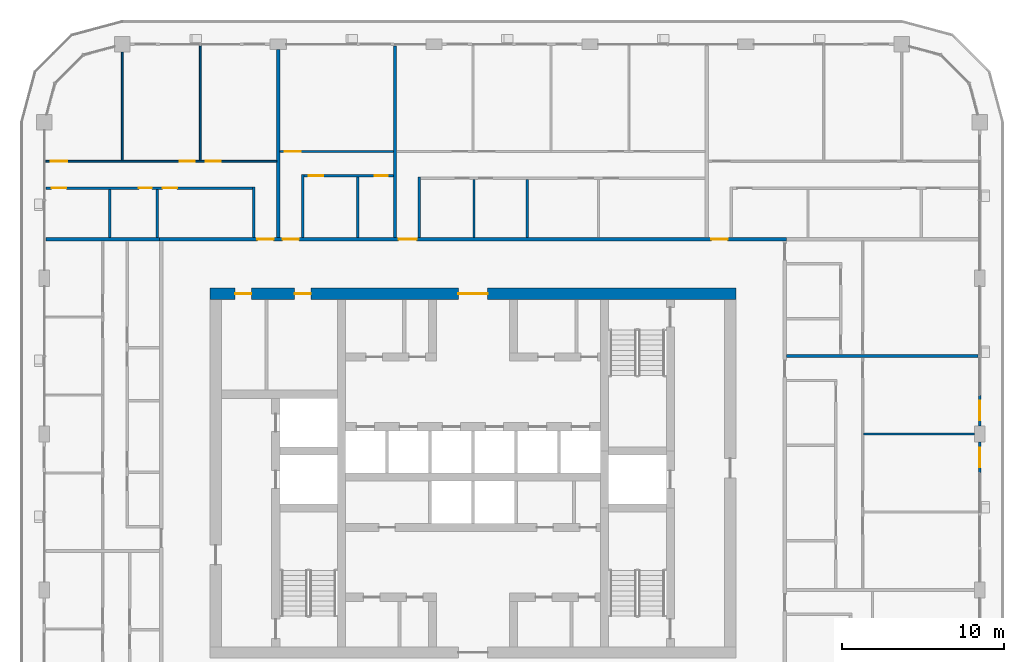
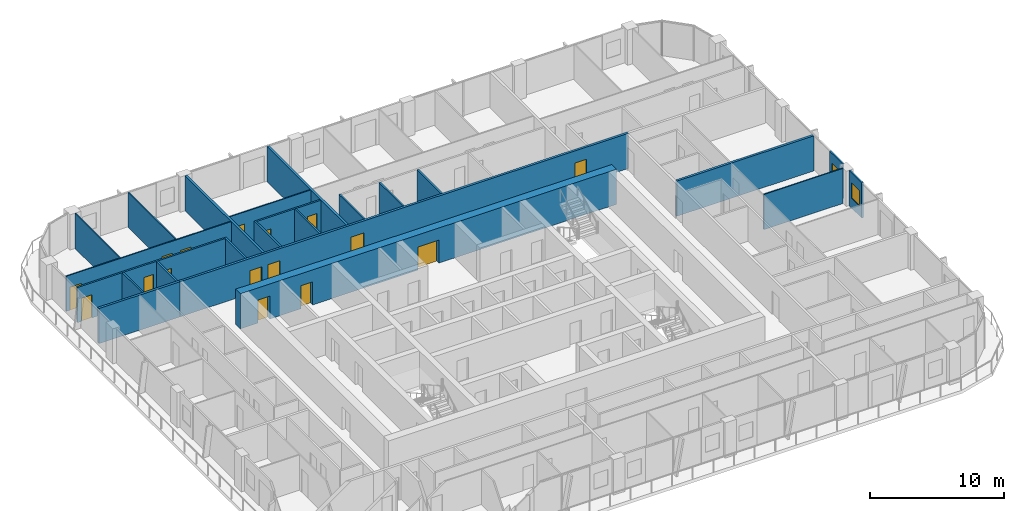
# One storey, part 14 of 23: 23 walls, 16 doors, 2 windows, 18 openings.
"""IFC4 building model written with IfcOpenShell, lengths in metres."""

from ifc_helpers import new_model, si_unit, direction, frame, frame_2d, origin, place, context, subcontext, project, spatial, rectangle, extrude, material, layer, layer_set, type_object, element, fill, save


model = new_model("IFC4")

# Units and contexts
model_context = context("Model", 3, precision=1e-05, world=origin(), true_north=direction((0.0, 1.0)))
body_context = subcontext(model_context, "Body", "Model", "MODEL_VIEW")
ifc_project = project(units=[si_unit("LENGTHUNIT", "METRE"), si_unit("AREAUNIT", "SQUARE_METRE"), si_unit("VOLUMEUNIT", "CUBIC_METRE"), si_unit("PLANEANGLEUNIT", "RADIAN"), si_unit("MASSUNIT", "GRAM", prefix="KILO")], contexts=[model_context])

# Site, building, storey
site_placement = place(None, origin())
site = spatial("IfcSite", under=ifc_project, at=site_placement, CompositionType="ELEMENT")
building_placement = place(site_placement, origin())
building = spatial("IfcBuilding", under=site, at=building_placement, Name="Madar Terraces", CompositionType="ELEMENT")
storey_placement = place(building_placement, frame((0.0, 0.0, 226.300048828125)))
storey = spatial("IfcBuildingStorey", under=building, at=storey_placement, Name="L59", CompositionType="ELEMENT", Elevation=226.300048828125)

# Wall, openings, doors
ifc_material_1 = material(Name="Concrete C60/75", Category="concrete")
ifc_layer_1 = layer(ifc_material_1, 0.699951171875)
ifc_layer_set_1 = layer_set([ifc_layer_1], Name="Concrete C60/75 (CRW4 RC wall 700)")
wall_type_1 = type_object("IfcWallType", Name="CRW4 RC wall 700", PredefinedType="SHEAR", material=ifc_layer_set_1)
wall_1_placement = place(storey_placement, frame((15.0, 37.449951171875, 0.0), z_axis=(0.0, 0.0, 1.0), x_axis=(1.0, 0.0, 0.0)))
wall_1 = element("IfcWall", 1, at=wall_1_placement, inside=storey, type_object=wall_type_1, Name="CORE OUTER WALL", PredefinedType="SHEAR", context=body_context, shape_type="SweptSolid", body=[
    extrude(rectangle(XDim=32.39990234375, YDim=0.699951171875, at=frame_2d((16.199951171875, 0.0))), origin(), (0.0, 0.0, 1.0), 3.199951171875),
])
opening_1_placement = place(wall_1_placement, frame((15.300048828125, 0.0, 0.0)))
opening_1 = element("IfcOpeningElement", 2, at=opening_1_placement, cuts=wall_1, Name="Opening KD1", PredefinedType="OPENING", context=body_context, shape_type="SweptSolid", body=[
    extrude(rectangle(XDim=1.800048828125, YDim=2.10009765625, at=frame_2d((0.89990234375, 1.050048828125))), frame((0.0, 0.35986328125, 0.0), z_axis=(0.0, -1.0, 0.0), x_axis=(1.0, 0.0, 0.0)), (0.0, 0.0, 1.0), 0.719970703125),
])
opening_2_placement = place(wall_1_placement, frame((1.544189453125, 0.0, 0.0)))
opening_2 = element("IfcOpeningElement", 3, at=opening_2_placement, cuts=wall_1, Name="Opening KD2", PredefinedType="OPENING", context=body_context, shape_type="SweptSolid", body=[
    extrude(rectangle(XDim=1.0, YDim=2.10009765625, at=frame_2d((0.5, 1.050048828125))), frame((0.0, 0.35986328125, 0.0), z_axis=(0.0, -1.0, 0.0), x_axis=(1.0, 0.0, 0.0)), (0.0, 0.0, 1.0), 0.719970703125),
])
opening_3_placement = place(wall_1_placement, frame((5.21923828125, 0.0, 0.0)))
opening_3 = element("IfcOpeningElement", 4, at=opening_3_placement, cuts=wall_1, Name="Opening KD2", PredefinedType="OPENING", context=body_context, shape_type="SweptSolid", body=[
    extrude(rectangle(XDim=1.0, YDim=2.10009765625, at=frame_2d((0.5, 1.050048828125))), frame((0.0, 0.35986328125, 0.0), z_axis=(0.0, -1.0, 0.0), x_axis=(1.0, 0.0, 0.0)), (0.0, 0.0, 1.0), 0.719970703125),
])
ifc_material_2 = material(Name="Steel door leaf", Category="steel")
door_type_1 = type_object("IfcDoorType", Name="Lobby door pair 1800 x 2100", OperationType="DOUBLE_DOOR_SINGLE_SWING", PredefinedType="DOOR", material=ifc_material_2)
door_1_placement = place(opening_1_placement, origin())
door_1 = element("IfcDoor", 5, at=door_1_placement, inside=storey, type_object=door_type_1, Name="LIFT LOBBY DOOR", OperationType="DOUBLE_DOOR_SINGLE_SWING", OverallHeight=2.10009765625, OverallWidth=1.800048828125, PredefinedType="DOOR", context=body_context, shape_type="SweptSolid", body=[
    extrude(rectangle(XDim=1.800048828125, YDim=2.10009765625, at=frame_2d((0.89990234375, 1.050048828125))), frame((0.0, 0.02490234375, 0.0), z_axis=(0.0, -1.0, 0.0), x_axis=(1.0, 0.0, 0.0)), (0.0, 0.0, 1.0), 0.050048828125),
])
fill(opening_1, door_1)
ifc_material_3 = material(Name="Steel door leaf", Category="steel")
door_type_2 = type_object("IfcDoorType", Name="Service room door 1000 x 2100", OperationType="NOTDEFINED", PredefinedType="DOOR", material=ifc_material_3)
door_2_placement = place(opening_2_placement, origin())
door_2 = element("IfcDoor", 6, at=door_2_placement, inside=storey, type_object=door_type_2, Name="SERVICE ROOM DOOR", OperationType="SINGLE_SWING_RIGHT", OverallHeight=2.10009765625, OverallWidth=1.0, PredefinedType="DOOR", context=body_context, shape_type="SweptSolid", body=[
    extrude(rectangle(XDim=1.0, YDim=2.10009765625, at=frame_2d((0.5, 1.050048828125))), frame((0.0, 0.02490234375, 0.0), z_axis=(0.0, -1.0, 0.0), x_axis=(1.0, 0.0, 0.0)), (0.0, 0.0, 1.0), 0.050048828125),
])
fill(opening_2, door_2)
door_3_placement = place(opening_3_placement, origin())
door_3 = element("IfcDoor", 7, at=door_3_placement, inside=storey, type_object=door_type_2, Name="SERVICE ROOM DOOR", OperationType="SINGLE_SWING_LEFT", OverallHeight=2.10009765625, OverallWidth=1.0, PredefinedType="DOOR", context=body_context, shape_type="SweptSolid", body=[
    extrude(rectangle(XDim=1.0, YDim=2.10009765625, at=frame_2d((0.5, 1.050048828125))), frame((0.0, 0.02490234375, 0.0), z_axis=(0.0, -1.0, 0.0), x_axis=(1.0, 0.0, 0.0)), (0.0, 0.0, 1.0), 0.050048828125),
])
fill(opening_3, door_3)

# Wall, opening, window
ifc_material_4 = material(Name="Aluminium composite panel, black, over insulated backing", Category="aluminium")
ifc_layer_2 = layer(ifc_material_4, 0.14990234375)
ifc_layer_set_2 = layer_set([ifc_layer_2], Name="Facade bay panel 150")
wall_type_2 = type_object("IfcWallType", Name="Facade bay panel 150", PredefinedType="SOLIDWALL", material=ifc_layer_set_2)
wall_2_placement = place(storey_placement, frame((62.39990234375, 26.39990234375, 0.0), z_axis=(0.0, 0.0, 1.0), x_axis=(0.0, 1.0, 0.0)))
wall_2 = element("IfcWall", 8, at=wall_2_placement, inside=storey, type_object=wall_type_2, Name="Facade bay panel", PredefinedType="SOLIDWALL", context=body_context, shape_type="SweptSolid", body=[
    extrude(rectangle(XDim=1.900146484375, YDim=0.14990234375, at=frame_2d((0.9501953125, 0.0))), origin(), (0.0, 0.0, 1.0), 3.199951171875),
])
opening_4_placement = place(wall_2_placement, frame((0.35009765625, 0.0, 0.89990234375)))
opening_4 = element("IfcOpeningElement", 9, at=opening_4_placement, cuts=wall_2, Name="Opening W1", PredefinedType="OPENING", context=body_context, shape_type="SweptSolid", body=[
    extrude(rectangle(XDim=1.199951171875, YDim=1.39990234375, at=frame_2d((0.60009765625, 0.699951171875))), frame((0.0, 0.0849609375, 0.0), z_axis=(0.0, -1.0, 0.0), x_axis=(1.0, 0.0, 0.0)), (0.0, 0.0, 1.0), 0.169921875),
])
ifc_material_5 = material(Name="Glass, clear, with black aluminium frame", Category="aluminium")
window_type = type_object("IfcWindowType", Name="Vent window 1200 x 1400", PartitioningType="SINGLE_PANEL", PredefinedType="WINDOW", material=ifc_material_5)
window_1_placement = place(opening_4_placement, origin())
window_1 = element("IfcWindow", 10, at=window_1_placement, inside=storey, type_object=window_type, Name="Operable vent window", OverallHeight=1.39990234375, OverallWidth=1.199951171875, PartitioningType="SINGLE_PANEL", PredefinedType="WINDOW", context=body_context, shape_type="SweptSolid", body=[
    extrude(rectangle(XDim=1.199951171875, YDim=1.39990234375, at=frame_2d((0.60009765625, 0.699951171875))), frame((0.0, 0.030029296875, 0.0), z_axis=(0.0, -1.0, 0.0), x_axis=(1.0, 0.0, 0.0)), (0.0, 0.0, 1.0), 0.06005859375),
])
fill(opening_4, window_1)

wall_3_placement = place(storey_placement, frame((62.39990234375, 29.300048828125, 0.0), z_axis=(0.0, 0.0, 1.0), x_axis=(0.0, 1.0, 0.0)))
wall_3 = element("IfcWall", 11, at=wall_3_placement, inside=storey, type_object=wall_type_2, Name="Facade bay panel", PredefinedType="SOLIDWALL", context=body_context, shape_type="SweptSolid", body=[
    extrude(rectangle(XDim=1.89990234375, YDim=0.14990234375, at=frame_2d((0.949951171875, 0.0))), origin(), (0.0, 0.0, 1.0), 3.199951171875),
])
opening_5_placement = place(wall_3_placement, frame((0.35009765625, 0.0, 0.89990234375)))
opening_5 = element("IfcOpeningElement", 12, at=opening_5_placement, cuts=wall_3, Name="Opening W1", PredefinedType="OPENING", context=body_context, shape_type="SweptSolid", body=[
    extrude(rectangle(XDim=1.199951171875, YDim=1.39990234375, at=frame_2d((0.60009765625, 0.699951171875))), frame((0.0, 0.0849609375, 0.0), z_axis=(0.0, -1.0, 0.0), x_axis=(1.0, 0.0, 0.0)), (0.0, 0.0, 1.0), 0.169921875),
])
window_2_placement = place(opening_5_placement, origin())
window_2 = element("IfcWindow", 13, at=window_2_placement, inside=storey, type_object=window_type, Name="Operable vent window", OverallHeight=1.39990234375, OverallWidth=1.199951171875, PartitioningType="SINGLE_PANEL", PredefinedType="WINDOW", context=body_context, shape_type="SweptSolid", body=[
    extrude(rectangle(XDim=1.199951171875, YDim=1.39990234375, at=frame_2d((0.60009765625, 0.699951171875))), frame((0.0, 0.030029296875, 0.0), z_axis=(0.0, -1.0, 0.0), x_axis=(1.0, 0.0, 0.0)), (0.0, 0.0, 1.0), 0.06005859375),
])
fill(opening_5, window_2)

# Wall
ifc_material_6 = material(Name="Gypsum board on steel studs", Category="steel")
ifc_layer_3 = layer(ifc_material_6, 0.10009765625)
ifc_layer_set_3 = layer_set([ifc_layer_3], Name="Flat partition 100")
wall_type_3 = type_object("IfcWallType", Name="Flat partition 100", PredefinedType="PARTITIONING", material=ifc_layer_set_3)
wall_4_placement = place(storey_placement, frame((55.25, 28.800048828125, 0.0), z_axis=(0.0, 0.0, 1.0), x_axis=(1.0, 0.0, 0.0)))
element("IfcWall", 14, at=wall_4_placement, inside=storey, type_object=wall_type_3, Name="Flat partition 100", PredefinedType="PARTITIONING", context=body_context, shape_type="SweptSolid", body=[
    extrude(rectangle(XDim=6.824951171875, YDim=0.10009765625, at=frame_2d((3.41259765625, 0.0))), origin(), (0.0, 0.0, 1.0), 3.199951171875),
])

# Wall, opening, door
wall_5_placement = place(storey_placement, frame((19.300048828125, 46.199951171875, 0.0), z_axis=(0.0, 0.0, 1.0), x_axis=(1.0, 0.0, 0.0)))
wall_5 = element("IfcWall", 15, at=wall_5_placement, inside=storey, type_object=wall_type_3, Name="Flat partition 100", PredefinedType="PARTITIONING", context=body_context, shape_type="SweptSolid", body=[
    extrude(rectangle(XDim=7.0, YDim=0.10009765625, at=frame_2d((3.5, 0.0))), origin(), (0.0, 0.0, 1.0), 3.199951171875),
])
opening_6_placement = place(wall_5_placement, frame((0.300048828125, 0.0, 0.0)))
opening_6 = element("IfcOpeningElement", 16, at=opening_6_placement, cuts=wall_5, Name="Opening D3", PredefinedType="OPENING", context=body_context, shape_type="SweptSolid", body=[
    extrude(rectangle(XDim=1.0, YDim=2.10009765625, at=frame_2d((0.5, 1.050048828125))), frame((0.0, 0.06005859375, 0.0), z_axis=(0.0, -1.0, 0.0), x_axis=(1.0, 0.0, 0.0)), (0.0, 0.0, 1.0), 0.1201171875),
])
ifc_material_7 = material(Name="Timber door leaf", Category="wood")
door_type_3 = type_object("IfcDoorType", Name="Flat living room door 1000", OperationType="NOTDEFINED", PredefinedType="DOOR", material=ifc_material_7)
door_4_placement = place(opening_6_placement, origin())
door_4 = element("IfcDoor", 17, at=door_4_placement, inside=storey, type_object=door_type_3, Name="Flat living room door 1000", OperationType="SINGLE_SWING_LEFT", OverallHeight=2.10009765625, OverallWidth=1.0, PredefinedType="DOOR", context=body_context, shape_type="SweptSolid", body=[
    extrude(rectangle(XDim=1.0, YDim=2.10009765625, at=frame_2d((0.5, 1.050048828125))), frame((0.0, 0.02490234375, 0.0), z_axis=(0.0, -1.0, 0.0), x_axis=(1.0, 0.0, 0.0)), (0.0, 0.0, 1.0), 0.050048828125),
])
fill(opening_6, door_4)

# Walls
wall_6_placement = place(storey_placement, frame((14.39990234375, 45.64990234375, 0.0), z_axis=(0.0, 0.0, 1.0), x_axis=(0.0, 1.0, 0.0)))
element("IfcWall", 18, at=wall_6_placement, inside=storey, type_object=wall_type_3, Name="Flat partition 100", PredefinedType="PARTITIONING", context=body_context, shape_type="SweptSolid", body=[
    extrude(rectangle(XDim=7.050048828125, YDim=0.10009765625, at=frame_2d((3.52490234375, 0.0))), origin(), (0.0, 0.0, 1.0), 3.199951171875),
])
wall_7_placement = place(storey_placement, frame((9.60009765625, 45.64990234375, 0.0), z_axis=(0.0, 0.0, 1.0), x_axis=(0.0, 1.0, 0.0)))
element("IfcWall", 19, at=wall_7_placement, inside=storey, type_object=wall_type_3, Name="Flat partition 100", PredefinedType="PARTITIONING", context=body_context, shape_type="SweptSolid", body=[
    extrude(rectangle(XDim=6.675048828125, YDim=0.10009765625, at=frame_2d((3.33740234375, 0.0))), origin(), (0.0, 0.0, 1.0), 3.199951171875),
])

# Wall, openings, doors
wall_8_placement = place(storey_placement, frame((4.89990234375, 45.60009765625, 0.0), z_axis=(0.0, 0.0, 1.0), x_axis=(1.0, 0.0, 0.0)))
wall_8 = element("IfcWall", 20, at=wall_8_placement, inside=storey, type_object=wall_type_3, Name="Flat partition 100", PredefinedType="PARTITIONING", context=body_context, shape_type="SweptSolid", body=[
    extrude(rectangle(XDim=14.2001953125, YDim=0.10009765625, at=frame_2d((7.10009765625, 0.0))), origin(), (0.0, 0.0, 1.0), 3.199951171875),
])
opening_7_placement = place(wall_8_placement, frame((9.85009765625, 0.0, 0.0)))
opening_7 = element("IfcOpeningElement", 21, at=opening_7_placement, cuts=wall_8, Name="Opening D2", PredefinedType="OPENING", context=body_context, shape_type="SweptSolid", body=[
    extrude(rectangle(XDim=0.89990234375, YDim=2.10009765625, at=frame_2d((0.449951171875, 1.050048828125))), frame((0.0, 0.06005859375, 0.0), z_axis=(0.0, -1.0, 0.0), x_axis=(1.0, 0.0, 0.0)), (0.0, 0.0, 1.0), 0.1201171875),
])
opening_8_placement = place(wall_8_placement, frame((8.25, 0.0, 0.0)))
opening_8 = element("IfcOpeningElement", 22, at=opening_8_placement, cuts=wall_8, Name="Opening D2", PredefinedType="OPENING", context=body_context, shape_type="SweptSolid", body=[
    extrude(rectangle(XDim=0.89990234375, YDim=2.10009765625, at=frame_2d((0.449951171875, 1.050048828125))), frame((0.0, 0.06005859375, 0.0), z_axis=(0.0, -1.0, 0.0), x_axis=(1.0, 0.0, 0.0)), (0.0, 0.0, 1.0), 0.1201171875),
])
opening_9_placement = place(wall_8_placement, frame((0.300048828125, 0.0, 0.0)))
opening_9 = element("IfcOpeningElement", 23, at=opening_9_placement, cuts=wall_8, Name="Opening D3", PredefinedType="OPENING", context=body_context, shape_type="SweptSolid", body=[
    extrude(rectangle(XDim=1.0, YDim=2.10009765625, at=frame_2d((0.5, 1.050048828125))), frame((0.0, 0.06005859375, 0.0), z_axis=(0.0, -1.0, 0.0), x_axis=(1.0, 0.0, 0.0)), (0.0, 0.0, 1.0), 0.1201171875),
])
door_5_placement = place(opening_9_placement, origin())
door_5 = element("IfcDoor", 24, at=door_5_placement, inside=storey, type_object=door_type_3, Name="Flat living room door 1000", OperationType="SINGLE_SWING_LEFT", OverallHeight=2.10009765625, OverallWidth=1.0, PredefinedType="DOOR", context=body_context, shape_type="SweptSolid", body=[
    extrude(rectangle(XDim=1.0, YDim=2.10009765625, at=frame_2d((0.5, 1.050048828125))), frame((0.0, 0.02490234375, 0.0), z_axis=(0.0, -1.0, 0.0), x_axis=(1.0, 0.0, 0.0)), (0.0, 0.0, 1.0), 0.050048828125),
])
fill(opening_9, door_5)
ifc_material_8 = material(Name="Timber door leaf", Category="wood")
door_type_4 = type_object("IfcDoorType", Name="Flat room door 900", OperationType="NOTDEFINED", PredefinedType="DOOR", material=ifc_material_8)
door_6_placement = place(opening_7_placement, origin())
door_6 = element("IfcDoor", 25, at=door_6_placement, inside=storey, type_object=door_type_4, Name="Flat room door 900", OperationType="SINGLE_SWING_LEFT", OverallHeight=2.10009765625, OverallWidth=0.89990234375, PredefinedType="DOOR", context=body_context, shape_type="SweptSolid", body=[
    extrude(rectangle(XDim=0.89990234375, YDim=2.10009765625, at=frame_2d((0.449951171875, 1.050048828125))), frame((0.0, 0.02490234375, 0.0), z_axis=(0.0, -1.0, 0.0), x_axis=(1.0, 0.0, 0.0)), (0.0, 0.0, 1.0), 0.050048828125),
])
fill(opening_7, door_6)
door_7_placement = place(opening_8_placement, origin())
door_7 = element("IfcDoor", 26, at=door_7_placement, inside=storey, type_object=door_type_4, Name="Flat room door 900", OperationType="SINGLE_SWING_RIGHT", OverallHeight=2.10009765625, OverallWidth=0.89990234375, PredefinedType="DOOR", context=body_context, shape_type="SweptSolid", body=[
    extrude(rectangle(XDim=0.89990234375, YDim=2.10009765625, at=frame_2d((0.449951171875, 1.050048828125))), frame((0.0, 0.02490234375, 0.0), z_axis=(0.0, -1.0, 0.0), x_axis=(1.0, 0.0, 0.0)), (0.0, 0.0, 1.0), 0.050048828125),
])
fill(opening_8, door_7)

ifc_material_9 = material(Name="Lightweight blockwork", Category="masonry")
ifc_layer_4 = layer(ifc_material_9, 0.199951171875)
ifc_layer_set_4 = layer_set([ifc_layer_4], Name="Flat party and entrance wall 200")
wall_type_4 = type_object("IfcWallType", Name="Flat party and entrance wall 200", PredefinedType="PARTITIONING", material=ifc_layer_set_4)
wall_9_placement = place(storey_placement, frame((11.89990234375, 40.800048828125, 0.0), z_axis=(0.0, 0.0, 1.0), x_axis=(1.0, 0.0, 0.0)))
wall_9 = element("IfcWall", 27, at=wall_9_placement, inside=storey, type_object=wall_type_4, Name="Flat party and entrance wall 200", PredefinedType="PARTITIONING", context=body_context, shape_type="SweptSolid", body=[
    extrude(rectangle(XDim=38.60009765625, YDim=0.199951171875, at=frame_2d((19.300048828125, 0.0))), origin(), (0.0, 0.0, 1.0), 3.199951171875),
])
opening_10_placement = place(wall_9_placement, frame((33.97509765625, 0.0, 0.0)))
opening_10 = element("IfcOpeningElement", 28, at=opening_10_placement, cuts=wall_9, Name="Opening D1", PredefinedType="OPENING", context=body_context, shape_type="SweptSolid", body=[
    extrude(rectangle(XDim=1.0, YDim=2.10009765625, at=frame_2d((0.5, 1.050048828125))), frame((0.0, 0.10986328125, 0.0), z_axis=(0.0, -1.0, 0.0), x_axis=(1.0, 0.0, 0.0)), (0.0, 0.0, 1.0), 0.219970703125),
])
opening_11_placement = place(wall_9_placement, frame((14.72509765625, 0.0, 0.0)))
opening_11 = element("IfcOpeningElement", 29, at=opening_11_placement, cuts=wall_9, Name="Opening D6", PredefinedType="OPENING", context=body_context, shape_type="SweptSolid", body=[
    extrude(rectangle(XDim=1.10009765625, YDim=2.10009765625, at=frame_2d((0.550048828125, 1.050048828125))), frame((0.0, 0.10986328125, 0.0), z_axis=(0.0, -1.0, 0.0), x_axis=(1.0, 0.0, 0.0)), (0.0, 0.0, 1.0), 0.219970703125),
])
opening_12_placement = place(wall_9_placement, frame((7.574951171875, 0.0, 0.0)))
opening_12 = element("IfcOpeningElement", 30, at=opening_12_placement, cuts=wall_9, Name="Opening D1", PredefinedType="OPENING", context=body_context, shape_type="SweptSolid", body=[
    extrude(rectangle(XDim=1.0, YDim=2.10009765625, at=frame_2d((0.5, 1.050048828125))), frame((0.0, 0.10986328125, 0.0), z_axis=(0.0, -1.0, 0.0), x_axis=(1.0, 0.0, 0.0)), (0.0, 0.0, 1.0), 0.219970703125),
])
opening_13_placement = place(wall_9_placement, frame((6.02490234375, 0.0, 0.0)))
opening_13 = element("IfcOpeningElement", 31, at=opening_13_placement, cuts=wall_9, Name="Opening D1", PredefinedType="OPENING", context=body_context, shape_type="SweptSolid", body=[
    extrude(rectangle(XDim=1.0, YDim=2.10009765625, at=frame_2d((0.5, 1.050048828125))), frame((0.0, 0.10986328125, 0.0), z_axis=(0.0, -1.0, 0.0), x_axis=(1.0, 0.0, 0.0)), (0.0, 0.0, 1.0), 0.219970703125),
])
ifc_material_10 = material(Name="Timber fire door leaf", Category="wood")
door_type_5 = type_object("IfcDoorType", Name="Flat entrance door 1000 FD30S", OperationType="NOTDEFINED", PredefinedType="DOOR", material=ifc_material_10)
door_8_placement = place(opening_10_placement, origin())
door_8 = element("IfcDoor", 32, at=door_8_placement, inside=storey, type_object=door_type_5, Name="Flat entrance door 1000 FD30S", OperationType="SINGLE_SWING_LEFT", OverallHeight=2.10009765625, OverallWidth=1.0, PredefinedType="DOOR", context=body_context, shape_type="SweptSolid", body=[
    extrude(rectangle(XDim=1.0, YDim=2.10009765625, at=frame_2d((0.5, 1.050048828125))), frame((0.0, 0.02490234375, 0.0), z_axis=(0.0, -1.0, 0.0), x_axis=(1.0, 0.0, 0.0)), (0.0, 0.0, 1.0), 0.050048828125),
])
fill(opening_10, door_8)
door_9_placement = place(opening_12_placement, origin())
door_9 = element("IfcDoor", 33, at=door_9_placement, inside=storey, type_object=door_type_5, Name="Flat entrance door 1000 FD30S", OperationType="SINGLE_SWING_LEFT", OverallHeight=2.10009765625, OverallWidth=1.0, PredefinedType="DOOR", context=body_context, shape_type="SweptSolid", body=[
    extrude(rectangle(XDim=1.0, YDim=2.10009765625, at=frame_2d((0.5, 1.050048828125))), frame((0.0, 0.02490234375, 0.0), z_axis=(0.0, -1.0, 0.0), x_axis=(1.0, 0.0, 0.0)), (0.0, 0.0, 1.0), 0.050048828125),
])
fill(opening_12, door_9)
door_10_placement = place(opening_13_placement, origin())
door_10 = element("IfcDoor", 34, at=door_10_placement, inside=storey, type_object=door_type_5, Name="Flat entrance door 1000 FD30S", OperationType="SINGLE_SWING_RIGHT", OverallHeight=2.10009765625, OverallWidth=1.0, PredefinedType="DOOR", context=body_context, shape_type="SweptSolid", body=[
    extrude(rectangle(XDim=1.0, YDim=2.10009765625, at=frame_2d((0.5, 1.050048828125))), frame((0.0, 0.02490234375, 0.0), z_axis=(0.0, -1.0, 0.0), x_axis=(1.0, 0.0, 0.0)), (0.0, 0.0, 1.0), 0.050048828125),
])
fill(opening_13, door_10)
ifc_material_11 = material(Name="Timber fire door leaf", Category="wood")
door_type_6 = type_object("IfcDoorType", Name="Flat entrance door 1100 FD30S", OperationType="NOTDEFINED", PredefinedType="DOOR", material=ifc_material_11)
door_11_placement = place(opening_11_placement, origin())
door_11 = element("IfcDoor", 35, at=door_11_placement, inside=storey, type_object=door_type_6, Name="Flat entrance door 1100 FD30S", OperationType="SINGLE_SWING_LEFT", OverallHeight=2.10009765625, OverallWidth=1.10009765625, PredefinedType="DOOR", context=body_context, shape_type="SweptSolid", body=[
    extrude(rectangle(XDim=1.10009765625, YDim=2.10009765625, at=frame_2d((0.550048828125, 1.050048828125))), frame((0.0, 0.02490234375, 0.0), z_axis=(0.0, -1.0, 0.0), x_axis=(1.0, 0.0, 0.0)), (0.0, 0.0, 1.0), 0.050048828125),
])
fill(opening_11, door_11)

# Walls
for number, where, z_axis, x_axis, name in (
    (36, (50.5, 33.60009765625, 0.0), (0.0, 0.0, 1.0), (1.0, 0.0, 0.0), "Flat party and entrance wall 200"),
    (37, (26.39990234375, 52.699951171875, 0.0), (0.0, 0.0, 1.0), (0.0, -1.0, 0.0), "Flat party and entrance wall 200"),
):
    element("IfcWall", number, at=place(storey_placement, frame(where, z_axis=z_axis, x_axis=x_axis)), inside=storey, type_object=wall_type_4, Name=name, PredefinedType="PARTITIONING", context=body_context, shape_type="SweptSolid", body=[
        extrude(rectangle(XDim=11.800048828125, YDim=0.199951171875, at=frame_2d((5.89990234375, 0.0))), origin(), (0.0, 0.0, 1.0), 3.199951171875),
    ])
wall_10_placement = place(storey_placement, frame((19.199951171875, 52.47509765625, 0.0), z_axis=(0.0, 0.0, 1.0), x_axis=(0.0, -1.0, 0.0)))
element("IfcWall", 38, at=wall_10_placement, inside=storey, type_object=wall_type_4, Name="Flat party and entrance wall 200", PredefinedType="PARTITIONING", context=body_context, shape_type="SweptSolid", body=[
    extrude(rectangle(XDim=11.5751953125, YDim=0.199951171875, at=frame_2d((5.78759765625, 0.0))), origin(), (0.0, 0.0, 1.0), 3.199951171875),
])
wall_11_placement = place(storey_placement, frame((4.89990234375, 40.800048828125, 0.0), z_axis=(0.0, 0.0, 1.0), x_axis=(1.0, 0.0, 0.0)))
element("IfcWall", 39, at=wall_11_placement, inside=storey, type_object=wall_type_4, Name="Flat party and entrance wall 200", PredefinedType="PARTITIONING", context=body_context, shape_type="SweptSolid", body=[
    extrude(rectangle(XDim=7.0, YDim=0.199951171875, at=frame_2d((3.5, 0.0))), origin(), (0.0, 0.0, 1.0), 3.199951171875),
])
ifc_material_12 = material(Name="Lightweight blockwork", Category="masonry")
ifc_layer_5 = layer(ifc_material_12, 0.14990234375)
ifc_layer_set_5 = layer_set([ifc_layer_5], Name="Flat wet-room partition 150")
wall_type_5 = type_object("IfcWallType", Name="Flat wet-room partition 150", PredefinedType="PARTITIONING", material=ifc_layer_set_5)
for number, where, z_axis, x_axis, name in (
    (40, (31.260986328125, 40.89990234375, 0.0), (0.0, 0.0, 1.0), (0.0, 1.0, 0.0), "Flat wet-room partition 150"),
    (41, (34.546875, 40.89990234375, 0.0), (0.0, 0.0, 1.0), (0.0, 1.0, 0.0), "Flat wet-room partition 150"),
):
    element("IfcWall", number, at=place(storey_placement, frame(where, z_axis=z_axis, x_axis=x_axis)), inside=storey, type_object=wall_type_5, Name=name, PredefinedType="PARTITIONING", context=body_context, shape_type="SweptSolid", body=[
        extrude(rectangle(XDim=3.5751953125, YDim=0.14990234375, at=frame_2d((1.78759765625, 0.0))), origin(), (0.0, 0.0, 1.0), 3.199951171875),
    ])
for number, where, z_axis, x_axis, name in (
    (42, (27.89990234375, 40.89990234375, 0.0), (0.0, 0.0, 1.0), (0.0, 1.0, 0.0), "Flat wet-room partition 150"),
    (43, (24.090087890625, 40.89990234375, 0.0), (0.0, 0.0, 1.0), (0.0, 1.0, 0.0), "Flat wet-room partition 150"),
):
    element("IfcWall", number, at=place(storey_placement, frame(where, z_axis=z_axis, x_axis=x_axis)), inside=storey, type_object=wall_type_5, Name=name, PredefinedType="PARTITIONING", context=body_context, shape_type="SweptSolid", body=[
        extrude(rectangle(XDim=3.72509765625, YDim=0.14990234375, at=frame_2d((1.862548828125, 0.0))), origin(), (0.0, 0.0, 1.0), 3.199951171875),
    ])
wall_12_placement = place(storey_placement, frame((20.699951171875, 40.89990234375, 0.0), z_axis=(0.0, 0.0, 1.0), x_axis=(0.0, 1.0, 0.0)))
element("IfcWall", 44, at=wall_12_placement, inside=storey, type_object=wall_type_5, Name="Flat wet-room partition 150", PredefinedType="PARTITIONING", context=body_context, shape_type="SweptSolid", body=[
    extrude(rectangle(XDim=3.875, YDim=0.14990234375, at=frame_2d((1.9375, 0.0))), origin(), (0.0, 0.0, 1.0), 3.199951171875),
])

# Wall, openings, doors
wall_13_placement = place(storey_placement, frame((26.300048828125, 44.699951171875, 0.0), z_axis=(0.0, 0.0, 1.0), x_axis=(-1.0, 0.0, 0.0)))
wall_13 = element("IfcWall", 45, at=wall_13_placement, inside=storey, type_object=wall_type_5, Name="Flat wet-room partition 150", PredefinedType="PARTITIONING", context=body_context, shape_type="SweptSolid", body=[
    extrude(rectangle(XDim=5.525146484375, YDim=0.14990234375, at=frame_2d((2.7626953125, 0.0))), origin(), (0.0, 0.0, 1.0), 3.199951171875),
])
opening_14_placement = place(wall_13_placement, frame((4.324951171875, 0.0, 0.0)))
opening_14 = element("IfcOpeningElement", 46, at=opening_14_placement, cuts=wall_13, Name="Opening D2", PredefinedType="OPENING", context=body_context, shape_type="SweptSolid", body=[
    extrude(rectangle(XDim=0.89990234375, YDim=2.10009765625, at=frame_2d((0.449951171875, 1.050048828125))), frame((0.0, 0.0849609375, 0.0), z_axis=(0.0, -1.0, 0.0), x_axis=(1.0, 0.0, 0.0)), (0.0, 0.0, 1.0), 0.169921875),
])
opening_15_placement = place(wall_13_placement, frame((0.35009765625, 0.0, 0.0)))
opening_15 = element("IfcOpeningElement", 47, at=opening_15_placement, cuts=wall_13, Name="Opening D4", PredefinedType="OPENING", context=body_context, shape_type="SweptSolid", body=[
    extrude(rectangle(XDim=0.800048828125, YDim=2.10009765625, at=frame_2d((0.39990234375, 1.050048828125))), frame((0.0, 0.0849609375, 0.0), z_axis=(0.0, -1.0, 0.0), x_axis=(1.0, 0.0, 0.0)), (0.0, 0.0, 1.0), 0.169921875),
])
ifc_material_13 = material(Name="Timber door leaf", Category="wood")
door_type_7 = type_object("IfcDoorType", Name="Flat bathroom door 800", OperationType="NOTDEFINED", PredefinedType="DOOR", material=ifc_material_13)
door_12_placement = place(opening_15_placement, origin())
door_12 = element("IfcDoor", 48, at=door_12_placement, inside=storey, type_object=door_type_7, Name="Flat bathroom door 800", OperationType="SINGLE_SWING_LEFT", OverallHeight=2.10009765625, OverallWidth=0.800048828125, PredefinedType="DOOR", context=body_context, shape_type="SweptSolid", body=[
    extrude(rectangle(XDim=0.800048828125, YDim=2.10009765625, at=frame_2d((0.39990234375, 1.050048828125))), frame((0.0, 0.02490234375, 0.0), z_axis=(0.0, -1.0, 0.0), x_axis=(1.0, 0.0, 0.0)), (0.0, 0.0, 1.0), 0.050048828125),
])
fill(opening_15, door_12)
door_13_placement = place(opening_14_placement, origin())
door_13 = element("IfcDoor", 49, at=door_13_placement, inside=storey, type_object=door_type_4, Name="Flat room door 900", OperationType="SINGLE_SWING_RIGHT", OverallHeight=2.10009765625, OverallWidth=0.89990234375, PredefinedType="DOOR", context=body_context, shape_type="SweptSolid", body=[
    extrude(rectangle(XDim=0.89990234375, YDim=2.10009765625, at=frame_2d((0.449951171875, 1.050048828125))), frame((0.0, 0.02490234375, 0.0), z_axis=(0.0, -1.0, 0.0), x_axis=(1.0, 0.0, 0.0)), (0.0, 0.0, 1.0), 0.050048828125),
])
fill(opening_14, door_13)

# Walls
for number, where, z_axis, x_axis, name in (
    (50, (11.751953125, 40.89990234375, 0.0), (0.0, 0.0, 1.0), (0.0, 1.0, 0.0), "Flat wet-room partition 150"),
    (51, (8.8154296875, 40.89990234375, 0.0), (0.0, 0.0, 1.0), (0.0, 1.0, 0.0), "Flat wet-room partition 150"),
):
    element("IfcWall", number, at=place(storey_placement, frame(where, z_axis=z_axis, x_axis=x_axis)), inside=storey, type_object=wall_type_5, Name=name, PredefinedType="PARTITIONING", context=body_context, shape_type="SweptSolid", body=[
        extrude(rectangle(XDim=2.97509765625, YDim=0.14990234375, at=frame_2d((1.487548828125, 0.0))), origin(), (0.0, 0.0, 1.0), 3.199951171875),
    ])
wall_14_placement = place(storey_placement, frame((17.699951171875, 40.89990234375, 0.0), z_axis=(0.0, 0.0, 1.0), x_axis=(0.0, 1.0, 0.0)))
element("IfcWall", 52, at=wall_14_placement, inside=storey, type_object=wall_type_5, Name="Flat wet-room partition 150", PredefinedType="PARTITIONING", context=body_context, shape_type="SweptSolid", body=[
    extrude(rectangle(XDim=3.125, YDim=0.14990234375, at=frame_2d((1.5625, 0.0))), origin(), (0.0, 0.0, 1.0), 3.199951171875),
])

# Wall, openings, doors
wall_15_placement = place(storey_placement, frame((17.625, 43.949951171875, 0.0), z_axis=(0.0, 0.0, 1.0), x_axis=(-1.0, 0.0, 0.0)))
wall_15 = element("IfcWall", 53, at=wall_15_placement, inside=storey, type_object=wall_type_5, Name="Flat wet-room partition 150", PredefinedType="PARTITIONING", context=body_context, shape_type="SweptSolid", body=[
    extrude(rectangle(XDim=12.72509765625, YDim=0.14990234375, at=frame_2d((6.362548828125, 0.0))), origin(), (0.0, 0.0, 1.0), 3.199951171875),
])
opening_16_placement = place(wall_15_placement, frame((4.648193359375, 0.0, 0.0)))
opening_16 = element("IfcOpeningElement", 54, at=opening_16_placement, cuts=wall_15, Name="Opening D2", PredefinedType="OPENING", context=body_context, shape_type="SweptSolid", body=[
    extrude(rectangle(XDim=0.89990234375, YDim=2.10009765625, at=frame_2d((0.449951171875, 1.050048828125))), frame((0.0, 0.0849609375, 0.0), z_axis=(0.0, -1.0, 0.0), x_axis=(1.0, 0.0, 0.0)), (0.0, 0.0, 1.0), 0.169921875),
])
opening_17_placement = place(wall_15_placement, frame((6.197998046875, 0.0, 0.0)))
opening_17 = element("IfcOpeningElement", 55, at=opening_17_placement, cuts=wall_15, Name="Opening D4", PredefinedType="OPENING", context=body_context, shape_type="SweptSolid", body=[
    extrude(rectangle(XDim=0.800048828125, YDim=2.10009765625, at=frame_2d((0.39990234375, 1.050048828125))), frame((0.0, 0.0849609375, 0.0), z_axis=(0.0, -1.0, 0.0), x_axis=(1.0, 0.0, 0.0)), (0.0, 0.0, 1.0), 0.169921875),
])
opening_18_placement = place(wall_15_placement, frame((11.47509765625, 0.0, 0.0)))
opening_18 = element("IfcOpeningElement", 56, at=opening_18_placement, cuts=wall_15, Name="Opening D5", PredefinedType="OPENING", context=body_context, shape_type="SweptSolid", body=[
    extrude(rectangle(XDim=0.89990234375, YDim=2.10009765625, at=frame_2d((0.449951171875, 1.050048828125))), frame((0.0, 0.0849609375, 0.0), z_axis=(0.0, -1.0, 0.0), x_axis=(1.0, 0.0, 0.0)), (0.0, 0.0, 1.0), 0.169921875),
])
ifc_material_14 = material(Name="Timber door leaf", Category="wood")
door_type_8 = type_object("IfcDoorType", Name="Flat accessible bathroom door 900", OperationType="NOTDEFINED", PredefinedType="DOOR", material=ifc_material_14)
door_14_placement = place(opening_18_placement, origin())
door_14 = element("IfcDoor", 57, at=door_14_placement, inside=storey, type_object=door_type_8, Name="Flat accessible bathroom door 900", OperationType="SINGLE_SWING_RIGHT", OverallHeight=2.10009765625, OverallWidth=0.89990234375, PredefinedType="DOOR", context=body_context, shape_type="SweptSolid", body=[
    extrude(rectangle(XDim=0.89990234375, YDim=2.10009765625, at=frame_2d((0.449951171875, 1.050048828125))), frame((0.0, 0.02490234375, 0.0), z_axis=(0.0, -1.0, 0.0), x_axis=(1.0, 0.0, 0.0)), (0.0, 0.0, 1.0), 0.050048828125),
])
fill(opening_18, door_14)
door_15_placement = place(opening_17_placement, origin())
door_15 = element("IfcDoor", 58, at=door_15_placement, inside=storey, type_object=door_type_7, Name="Flat bathroom door 800", OperationType="SINGLE_SWING_LEFT", OverallHeight=2.10009765625, OverallWidth=0.800048828125, PredefinedType="DOOR", context=body_context, shape_type="SweptSolid", body=[
    extrude(rectangle(XDim=0.800048828125, YDim=2.10009765625, at=frame_2d((0.39990234375, 1.050048828125))), frame((0.0, 0.02490234375, 0.0), z_axis=(0.0, -1.0, 0.0), x_axis=(1.0, 0.0, 0.0)), (0.0, 0.0, 1.0), 0.050048828125),
])
fill(opening_17, door_15)
door_16_placement = place(opening_16_placement, origin())
door_16 = element("IfcDoor", 59, at=door_16_placement, inside=storey, type_object=door_type_4, Name="Flat room door 900", OperationType="SINGLE_SWING_RIGHT", OverallHeight=2.10009765625, OverallWidth=0.89990234375, PredefinedType="DOOR", context=body_context, shape_type="SweptSolid", body=[
    extrude(rectangle(XDim=0.89990234375, YDim=2.10009765625, at=frame_2d((0.449951171875, 1.050048828125))), frame((0.0, 0.02490234375, 0.0), z_axis=(0.0, -1.0, 0.0), x_axis=(1.0, 0.0, 0.0)), (0.0, 0.0, 1.0), 0.050048828125),
])
fill(opening_16, door_16)

save(model, "model.ifc")
